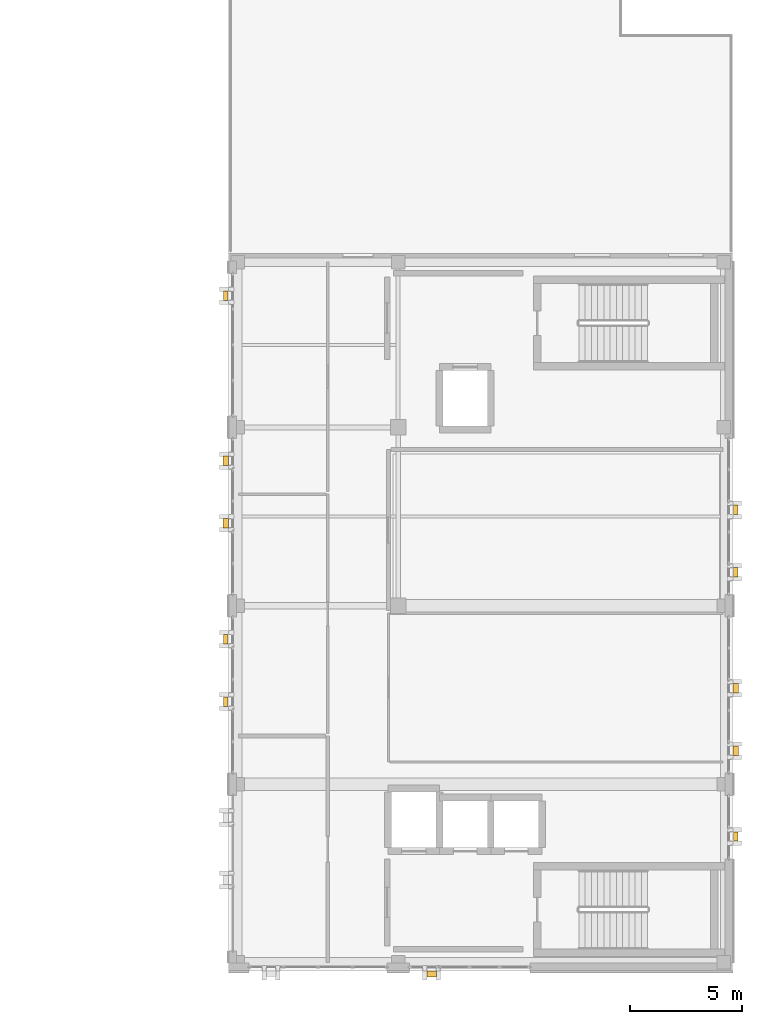
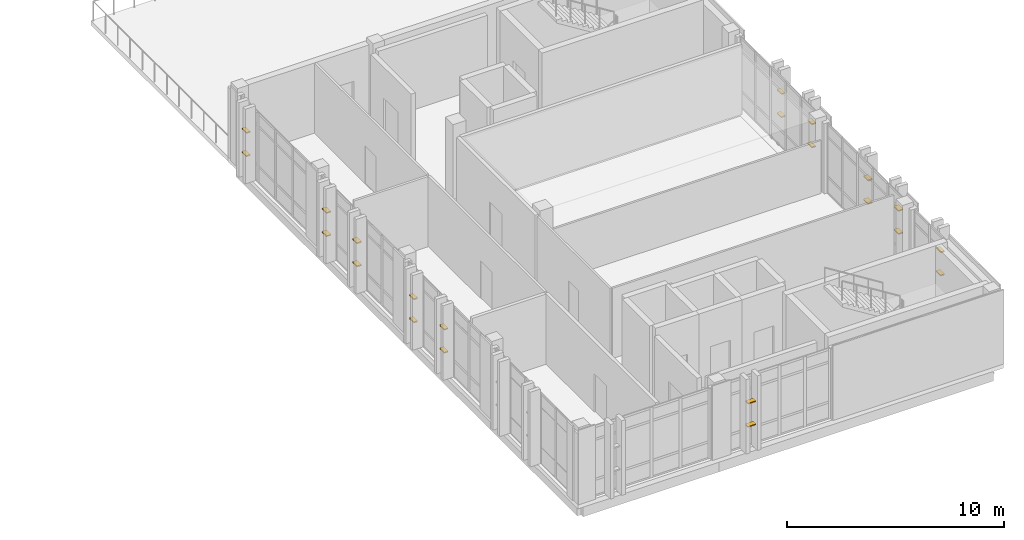
# One storey, part 48 of 48: 22 shading devices.
"""IFC4 building model written with IfcOpenShell, lengths in metres."""

from ifc_helpers import new_model, si_unit, direction, frame, origin, origin_2d, place, context, subcontext, project, spatial, rectangle, extrude, material, type_object, element, save


model = new_model("IFC4")

# Units and contexts
model_context = context("Model", 3, precision=1e-05, world=origin(), true_north=direction((0.0, 1.0)))
body_context = subcontext(model_context, "Body", "Model", "MODEL_VIEW")
ifc_project = project(units=[si_unit("LENGTHUNIT", "METRE"), si_unit("AREAUNIT", "SQUARE_METRE"), si_unit("VOLUMEUNIT", "CUBIC_METRE"), si_unit("PLANEANGLEUNIT", "RADIAN"), si_unit("MASSUNIT", "GRAM", prefix="KILO")], contexts=[model_context])

# Site, building, storey
site_placement = place(None, origin())
site = spatial("IfcSite", under=ifc_project, at=site_placement, CompositionType="ELEMENT")
building_placement = place(site_placement, origin())
building = spatial("IfcBuilding", under=site, at=building_placement, Name="Qalavern Law Courts", CompositionType="ELEMENT")
storey_placement = place(building_placement, frame((0.0, 0.0, 31.199951171875)))
storey = spatial("IfcBuildingStorey", under=building, at=storey_placement, Name="L07", CompositionType="ELEMENT", Elevation=31.199951171875)

# Shading devices
ifc_material = material(Name="Anodised aluminium", Category="aluminium")
shading_device_type_1 = type_object("IfcShadingDeviceType", Name="ENV-LOUV-1", PredefinedType="JALOUSIE", material=ifc_material)
for number, where, z_axis, x_axis, name in (
    (1, (106.9326171875, 47.050048828125, 1.34912109375), (0.0, 0.0, 1.0), (0.0, 1.0, 0.0), "Horizontal sun louvre V4-L07-0-1"),
    (2, (106.9326171875, 47.050048828125, 2.649169921875), (0.0, 0.0, 1.0), (0.0, 1.0, 0.0), "Horizontal sun louvre V4-L07-0-2"),
    (3, (106.9326171875, 58.89990234375, 1.34912109375), (0.0, 0.0, 1.0), (0.0, 1.0, 0.0), "Horizontal sun louvre V4-L07-0-1"),
    (4, (106.9326171875, 58.89990234375, 2.649169921875), (0.0, 0.0, 1.0), (0.0, 1.0, 0.0), "Horizontal sun louvre V4-L07-0-2"),
    (5, (106.9326171875, 61.699951171875, 1.34912109375), (0.0, 0.0, 1.0), (0.0, 1.0, 0.0), "Horizontal sun louvre V4-L07-1-1"),
    (6, (106.9326171875, 61.699951171875, 2.649169921875), (0.0, 0.0, 1.0), (0.0, 1.0, 0.0), "Horizontal sun louvre V4-L07-1-2"),
    (7, (84.0673828125, 71.300048828125, 1.34912109375), (0.0, 0.0, 1.0), (0.0, -1.0, 0.0), "Horizontal sun louvre V4-L07-0-1"),
    (8, (84.0673828125, 71.300048828125, 2.649169921875), (0.0, 0.0, 1.0), (0.0, -1.0, 0.0), "Horizontal sun louvre V4-L07-0-2"),
    (9, (84.0673828125, 55.89990234375, 1.34912109375), (0.0, 0.0, 1.0), (0.0, -1.0, 0.0), "Horizontal sun louvre V4-L07-0-1"),
    (10, (84.0673828125, 55.89990234375, 2.649169921875), (0.0, 0.0, 1.0), (0.0, -1.0, 0.0), "Horizontal sun louvre V4-L07-0-2"),
    (11, (84.0673828125, 53.10009765625, 1.34912109375), (0.0, 0.0, 1.0), (0.0, -1.0, 0.0), "Horizontal sun louvre V4-L07-1-1"),
    (12, (84.0673828125, 53.10009765625, 2.649169921875), (0.0, 0.0, 1.0), (0.0, -1.0, 0.0), "Horizontal sun louvre V4-L07-1-2"),
):
    element("IfcShadingDevice", number, at=place(storey_placement, frame(where, z_axis=z_axis, x_axis=x_axis)), inside=storey, type_object=shading_device_type_1, Name=name, PredefinedType="JALOUSIE", context=body_context, shape_type="SweptSolid", body=[
        extrude(rectangle(XDim=0.419921875, YDim=0.2099609375, at=origin_2d()), origin(), (0.0, 0.0, 1.0), 0.06005859375),
    ])
shading_device_type_2 = type_object("IfcShadingDeviceType", Name="ENV-LOUV-2", PredefinedType="JALOUSIE", material=ifc_material)
for number, where, z_axis, x_axis, name in (
    (13, (93.300048828125, 40.887451171875, 1.34912109375), (0.0, 0.0, 1.0), (1.0, 0.0, 0.0), "Horizontal sun louvre V4-L07-0-1"),
    (14, (93.300048828125, 40.887451171875, 2.649169921875), (0.0, 0.0, 1.0), (1.0, 0.0, 0.0), "Horizontal sun louvre V4-L07-0-2"),
    (15, (106.9326171875, 50.89990234375, 1.34912109375), (0.0, 0.0, 1.0), (0.0, 1.0, 0.0), "Horizontal sun louvre V4-L07-0-1"),
    (16, (106.9326171875, 50.89990234375, 2.649169921875), (0.0, 0.0, 1.0), (0.0, 1.0, 0.0), "Horizontal sun louvre V4-L07-0-2"),
    (17, (106.9326171875, 53.699951171875, 1.34912109375), (0.0, 0.0, 1.0), (0.0, 1.0, 0.0), "Horizontal sun louvre V4-L07-1-1"),
    (18, (106.9326171875, 53.699951171875, 2.649169921875), (0.0, 0.0, 1.0), (0.0, 1.0, 0.0), "Horizontal sun louvre V4-L07-1-2"),
    (19, (84.0673828125, 63.89990234375, 1.34912109375), (0.0, 0.0, 1.0), (0.0, -1.0, 0.0), "Horizontal sun louvre V4-L07-0-1"),
    (20, (84.0673828125, 63.89990234375, 2.649169921875), (0.0, 0.0, 1.0), (0.0, -1.0, 0.0), "Horizontal sun louvre V4-L07-0-2"),
    (21, (84.0673828125, 61.10009765625, 1.34912109375), (0.0, 0.0, 1.0), (0.0, -1.0, 0.0), "Horizontal sun louvre V4-L07-1-1"),
    (22, (84.0673828125, 61.10009765625, 2.649169921875), (0.0, 0.0, 1.0), (0.0, -1.0, 0.0), "Horizontal sun louvre V4-L07-1-2"),
):
    element("IfcShadingDevice", number, at=place(storey_placement, frame(where, z_axis=z_axis, x_axis=x_axis)), inside=storey, type_object=shading_device_type_2, Name=name, PredefinedType="JALOUSIE", context=body_context, shape_type="SweptSolid", body=[
        extrude(rectangle(XDim=0.419921875, YDim=0.25, at=origin_2d()), origin(), (0.0, 0.0, 1.0), 0.06005859375),
    ])

save(model, "model.ifc")
